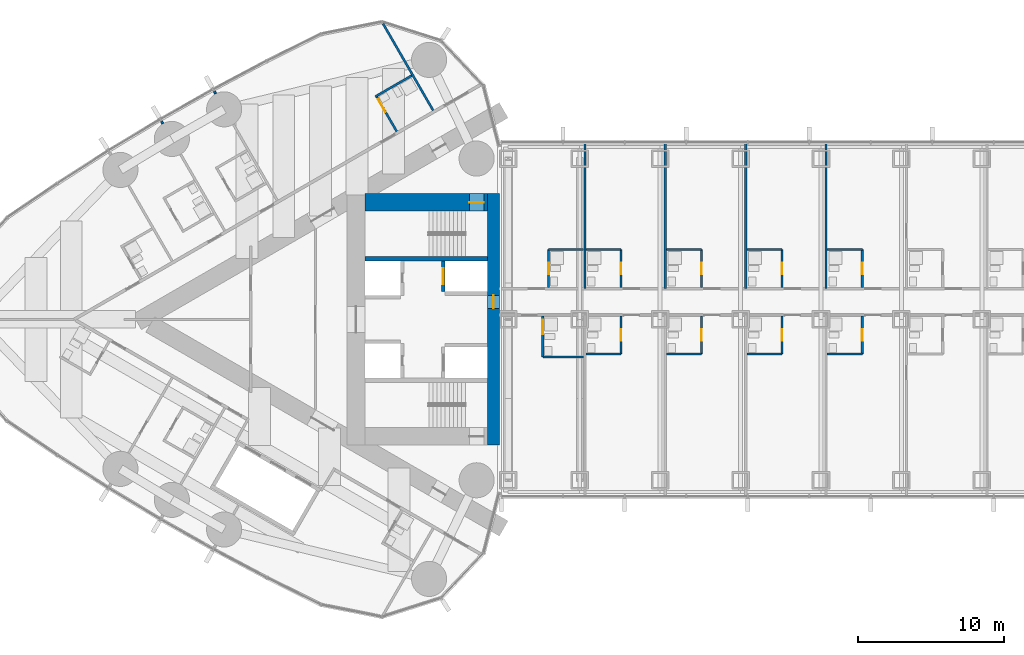
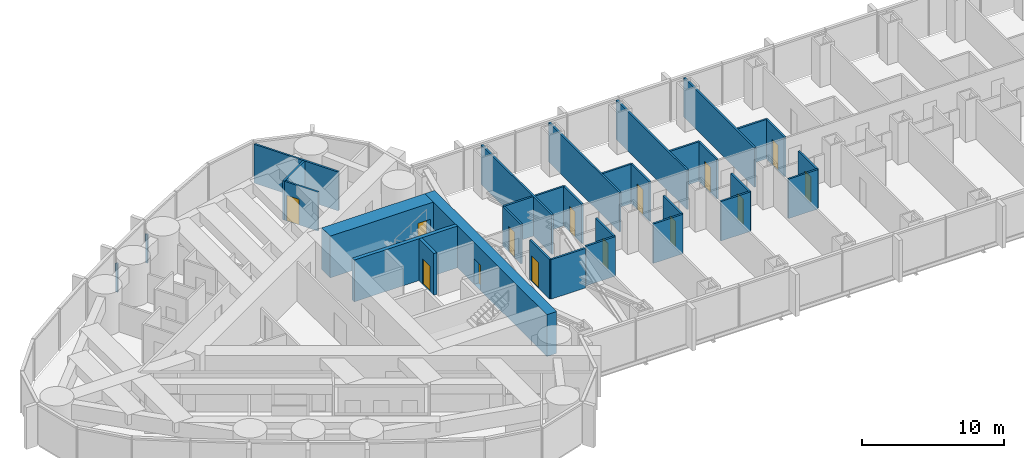
# One storey, part 16 of 23: 33 walls, 14 doors, 14 openings.
"""IFC4 building model written with IfcOpenShell, lengths in metres."""

from ifc_helpers import new_model, si_unit, direction, frame, frame_2d, origin, place, context, subcontext, project, spatial, rectangle, extrude, material, layer, layer_set, type_object, element, fill, save


model = new_model("IFC4")

# Units and contexts
model_context = context("Model", 3, precision=1e-05, world=origin(), true_north=direction((0.0, 1.0)))
body_context = subcontext(model_context, "Body", "Model", "MODEL_VIEW")
ifc_project = project(units=[si_unit("LENGTHUNIT", "METRE"), si_unit("AREAUNIT", "SQUARE_METRE"), si_unit("VOLUMEUNIT", "CUBIC_METRE"), si_unit("PLANEANGLEUNIT", "RADIAN"), si_unit("MASSUNIT", "GRAM", prefix="KILO")], contexts=[model_context])

# Site, building, storey
site_placement = place(None, origin())
site = spatial("IfcSite", under=ifc_project, at=site_placement, CompositionType="ELEMENT")
building_placement = place(site_placement, origin())
building = spatial("IfcBuilding", under=site, at=building_placement, Name="Lancet Gate Hotel", CompositionType="ELEMENT")
storey_placement = place(building_placement, frame((0.0, 0.0, 215.300048828125)))
storey = spatial("IfcBuildingStorey", under=building, at=storey_placement, Name="L57", CompositionType="ELEMENT", Elevation=215.300048828125)

# Wall
ifc_material_1 = material(Name="Moisture resistant board partition")
ifc_layer_1 = layer(ifc_material_1, 0.14990234375)
ifc_layer_set_1 = layer_set([ifc_layer_1], Name="Bathroom wall 150")
wall_type_1 = type_object("IfcWallType", Name="Bathroom wall 150", PredefinedType="PARTITIONING", material=ifc_layer_set_1)
wall_1_placement = place(storey_placement, frame((-33.486572265625, 16.6748046875, 0.0), z_axis=(0.0, 0.0, 1.0), x_axis=(-0.866039941686, -0.499974818771, 0.0)))
element("IfcWall", 1, at=wall_1_placement, inside=storey, type_object=wall_type_1, Name="T1 bathroom wall 150 L57", PredefinedType="PARTITIONING", context=body_context, shape_type="SweptSolid", body=[
    extrude(rectangle(XDim=2.875244140625, YDim=0.14990234375, at=frame_2d((1.4375, 0.0))), origin(), (0.0, 0.0, 1.0), 3.349853515625),
])

# Wall, opening, door
wall_2_placement = place(storey_placement, frame((-34.511474609375, 12.849853515625, 0.0), z_axis=(0.0, 0.0, 1.0), x_axis=(-0.500011755427, 0.866018616679, 0.0)))
wall_2 = element("IfcWall", 2, at=wall_2_placement, inside=storey, type_object=wall_type_1, Name="T1 bathroom wall 150 L57", PredefinedType="PARTITIONING", context=body_context, shape_type="SweptSolid", body=[
    extrude(rectangle(XDim=2.80029296875, YDim=0.14990234375, at=frame_2d((1.400146484375, 0.0))), origin(), (0.0, 0.0, 1.0), 3.349853515625),
])
opening_1_placement = place(wall_2_placement, frame((1.550048828125, 0.0, 0.0)))
opening_1 = element("IfcOpeningElement", 3, at=opening_1_placement, cuts=wall_2, Name="Opening 5702-B", PredefinedType="OPENING", context=body_context, shape_type="SweptSolid", body=[
    extrude(rectangle(XDim=1.0, YDim=2.199951171875, at=frame_2d((0.5, 1.10009765625))), frame((0.0, 0.0849609375, 0.0), z_axis=(0.0, -1.0, 0.0), x_axis=(1.0, 0.0, 0.0)), (0.0, 0.0, 1.0), 0.169921875),
])
ifc_material_2 = material(Name="Timber door set", Category="wood")
door_type_1 = type_object("IfcDoorType", Name="Accessible en-suite door 1000", OperationType="SINGLE_SWING_RIGHT", PredefinedType="DOOR", material=ifc_material_2)
door_1_placement = place(opening_1_placement, origin())
door_1 = element("IfcDoor", 4, at=door_1_placement, inside=storey, type_object=door_type_1, Name="5702-B", OperationType="SINGLE_SWING_RIGHT", OverallHeight=2.199951171875, OverallWidth=1.0, PredefinedType="DOOR", context=body_context, shape_type="SweptSolid", body=[
    extrude(rectangle(XDim=1.0, YDim=2.199951171875, at=frame_2d((0.5, 1.10009765625))), frame((0.0, 0.02490234375, 0.0), z_axis=(0.0, -1.0, 0.0), x_axis=(1.0, 0.0, 0.0)), (0.0, 0.0, 1.0), 0.050048828125),
])
fill(opening_1, door_1)

# Wall
wall_3_placement = place(storey_placement, frame((-24.52490234375, -2.574951171875, 0.0), z_axis=(0.0, 0.0, 1.0), x_axis=(1.0, 0.0, 0.0)))
element("IfcWall", 5, at=wall_3_placement, inside=storey, type_object=wall_type_1, Name="Bridge block bathroom wall 150 L57", PredefinedType="PARTITIONING", context=body_context, shape_type="SweptSolid", body=[
    extrude(rectangle(XDim=2.7998046875, YDim=0.14990234375, at=frame_2d((1.39990234375, 0.0))), origin(), (0.0, 0.0, 1.0), 3.39990234375),
])

# Wall, opening, door
wall_4_placement = place(storey_placement, frame((-24.52490234375, -2.574951171875, 0.0), z_axis=(0.0, 0.0, 1.0), x_axis=(0.0, 1.0, 0.0)))
wall_4 = element("IfcWall", 6, at=wall_4_placement, inside=storey, type_object=wall_type_1, Name="Bridge block bathroom wall 150 L57", PredefinedType="PARTITIONING", context=body_context, shape_type="SweptSolid", body=[
    extrude(rectangle(XDim=2.800048828125, YDim=0.14990234375, at=frame_2d((1.39990234375, 0.0))), origin(), (0.0, 0.0, 1.0), 3.39990234375),
])
opening_2_placement = place(wall_4_placement, frame((1.550048828125, 0.0, 0.0)))
opening_2 = element("IfcOpeningElement", 7, at=opening_2_placement, cuts=wall_4, Name="Opening B5701-B", PredefinedType="OPENING", context=body_context, shape_type="SweptSolid", body=[
    extrude(rectangle(XDim=1.0, YDim=2.199951171875, at=frame_2d((0.5, 1.10009765625))), frame((0.0, 0.0849609375, 0.0), z_axis=(0.0, -1.0, 0.0), x_axis=(1.0, 0.0, 0.0)), (0.0, 0.0, 1.0), 0.169921875),
])
door_2_placement = place(opening_2_placement, origin())
door_2 = element("IfcDoor", 8, at=door_2_placement, inside=storey, type_object=door_type_1, Name="B5701-B", OperationType="SINGLE_SWING_RIGHT", OverallHeight=2.199951171875, OverallWidth=1.0, PredefinedType="DOOR", context=body_context, shape_type="SweptSolid", body=[
    extrude(rectangle(XDim=1.0, YDim=2.199951171875, at=frame_2d((0.5, 1.10009765625))), frame((0.0, 0.02490234375, 0.0), z_axis=(0.0, -1.0, 0.0), x_axis=(1.0, 0.0, 0.0)), (0.0, 0.0, 1.0), 0.050048828125),
])
fill(opening_2, door_2)

# Wall
wall_5_placement = place(storey_placement, frame((-21.574951171875, -2.375, 0.0), z_axis=(0.0, 0.0, 1.0), x_axis=(1.0, 0.0, 0.0)))
element("IfcWall", 9, at=wall_5_placement, inside=storey, type_object=wall_type_1, Name="Bridge block bathroom wall 150 L57", PredefinedType="PARTITIONING", context=body_context, shape_type="SweptSolid", body=[
    extrude(rectangle(XDim=2.39990234375, YDim=0.14990234375, at=frame_2d((1.199951171875, 0.0))), origin(), (0.0, 0.0, 1.0), 3.39990234375),
])

# Wall, opening, door
wall_6_placement = place(storey_placement, frame((-19.175048828125, -2.375, 0.0), z_axis=(0.0, 0.0, 1.0), x_axis=(0.0, 1.0, 0.0)))
wall_6 = element("IfcWall", 10, at=wall_6_placement, inside=storey, type_object=wall_type_1, Name="Bridge block bathroom wall 150 L57", PredefinedType="PARTITIONING", context=body_context, shape_type="SweptSolid", body=[
    extrude(rectangle(XDim=2.60009765625, YDim=0.14990234375, at=frame_2d((1.300048828125, 0.0))), origin(), (0.0, 0.0, 1.0), 3.39990234375),
])
opening_3_placement = place(wall_6_placement, frame((0.89990234375, 0.0, 0.0)))
opening_3 = element("IfcOpeningElement", 11, at=opening_3_placement, cuts=wall_6, Name="Opening B5702-B", PredefinedType="OPENING", context=body_context, shape_type="SweptSolid", body=[
    extrude(rectangle(XDim=0.800048828125, YDim=2.199951171875, at=frame_2d((0.39990234375, 1.10009765625))), frame((0.0, 0.0849609375, 0.0), z_axis=(0.0, -1.0, 0.0), x_axis=(1.0, 0.0, 0.0)), (0.0, 0.0, 1.0), 0.169921875),
])
ifc_material_3 = material(Name="Timber door set", Category="wood")
door_type_2 = type_object("IfcDoorType", Name="Bathroom door 800", OperationType="SINGLE_SWING_RIGHT", PredefinedType="DOOR", material=ifc_material_3)
door_3_placement = place(opening_3_placement, origin())
door_3 = element("IfcDoor", 12, at=door_3_placement, inside=storey, type_object=door_type_2, Name="B5702-B", OperationType="SINGLE_SWING_RIGHT", OverallHeight=2.199951171875, OverallWidth=0.800048828125, PredefinedType="DOOR", context=body_context, shape_type="SweptSolid", body=[
    extrude(rectangle(XDim=0.800048828125, YDim=2.199951171875, at=frame_2d((0.39990234375, 1.10009765625))), frame((0.0, 0.02490234375, 0.0), z_axis=(0.0, -1.0, 0.0), x_axis=(1.0, 0.0, 0.0)), (0.0, 0.0, 1.0), 0.050048828125),
])
fill(opening_3, door_3)

# Wall
wall_7_placement = place(storey_placement, frame((-16.074951171875, -2.375, 0.0), z_axis=(0.0, 0.0, 1.0), x_axis=(1.0, 0.0, 0.0)))
element("IfcWall", 13, at=wall_7_placement, inside=storey, type_object=wall_type_1, Name="Bridge block bathroom wall 150 L57", PredefinedType="PARTITIONING", context=body_context, shape_type="SweptSolid", body=[
    extrude(rectangle(XDim=2.39990234375, YDim=0.14990234375, at=frame_2d((1.199951171875, 0.0))), origin(), (0.0, 0.0, 1.0), 3.39990234375),
])

# Wall, opening, door
wall_8_placement = place(storey_placement, frame((-13.675048828125, -2.375, 0.0), z_axis=(0.0, 0.0, 1.0), x_axis=(0.0, 1.0, 0.0)))
wall_8 = element("IfcWall", 14, at=wall_8_placement, inside=storey, type_object=wall_type_1, Name="Bridge block bathroom wall 150 L57", PredefinedType="PARTITIONING", context=body_context, shape_type="SweptSolid", body=[
    extrude(rectangle(XDim=2.60009765625, YDim=0.14990234375, at=frame_2d((1.300048828125, 0.0))), origin(), (0.0, 0.0, 1.0), 3.39990234375),
])
opening_4_placement = place(wall_8_placement, frame((0.89990234375, 0.0, 0.0)))
opening_4 = element("IfcOpeningElement", 15, at=opening_4_placement, cuts=wall_8, Name="Opening B5703-B", PredefinedType="OPENING", context=body_context, shape_type="SweptSolid", body=[
    extrude(rectangle(XDim=0.800048828125, YDim=2.199951171875, at=frame_2d((0.39990234375, 1.10009765625))), frame((0.0, 0.0849609375, 0.0), z_axis=(0.0, -1.0, 0.0), x_axis=(1.0, 0.0, 0.0)), (0.0, 0.0, 1.0), 0.169921875),
])
door_4_placement = place(opening_4_placement, origin())
door_4 = element("IfcDoor", 16, at=door_4_placement, inside=storey, type_object=door_type_2, Name="B5703-B", OperationType="SINGLE_SWING_RIGHT", OverallHeight=2.199951171875, OverallWidth=0.800048828125, PredefinedType="DOOR", context=body_context, shape_type="SweptSolid", body=[
    extrude(rectangle(XDim=0.800048828125, YDim=2.199951171875, at=frame_2d((0.39990234375, 1.10009765625))), frame((0.0, 0.02490234375, 0.0), z_axis=(0.0, -1.0, 0.0), x_axis=(1.0, 0.0, 0.0)), (0.0, 0.0, 1.0), 0.050048828125),
])
fill(opening_4, door_4)

# Wall
wall_9_placement = place(storey_placement, frame((-10.574951171875, -2.375, 0.0), z_axis=(0.0, 0.0, 1.0), x_axis=(1.0, 0.0, 0.0)))
element("IfcWall", 17, at=wall_9_placement, inside=storey, type_object=wall_type_1, Name="Bridge block bathroom wall 150 L57", PredefinedType="PARTITIONING", context=body_context, shape_type="SweptSolid", body=[
    extrude(rectangle(XDim=2.39990234375, YDim=0.14990234375, at=frame_2d((1.199951171875, 0.0))), origin(), (0.0, 0.0, 1.0), 3.39990234375),
])

# Wall, opening, door
wall_10_placement = place(storey_placement, frame((-8.175048828125, -2.375, 0.0), z_axis=(0.0, 0.0, 1.0), x_axis=(0.0, 1.0, 0.0)))
wall_10 = element("IfcWall", 18, at=wall_10_placement, inside=storey, type_object=wall_type_1, Name="Bridge block bathroom wall 150 L57", PredefinedType="PARTITIONING", context=body_context, shape_type="SweptSolid", body=[
    extrude(rectangle(XDim=2.60009765625, YDim=0.14990234375, at=frame_2d((1.300048828125, 0.0))), origin(), (0.0, 0.0, 1.0), 3.39990234375),
])
opening_5_placement = place(wall_10_placement, frame((0.89990234375, 0.0, 0.0)))
opening_5 = element("IfcOpeningElement", 19, at=opening_5_placement, cuts=wall_10, Name="Opening B5704-B", PredefinedType="OPENING", context=body_context, shape_type="SweptSolid", body=[
    extrude(rectangle(XDim=0.800048828125, YDim=2.199951171875, at=frame_2d((0.39990234375, 1.10009765625))), frame((0.0, 0.0849609375, 0.0), z_axis=(0.0, -1.0, 0.0), x_axis=(1.0, 0.0, 0.0)), (0.0, 0.0, 1.0), 0.169921875),
])
door_5_placement = place(opening_5_placement, origin())
door_5 = element("IfcDoor", 20, at=door_5_placement, inside=storey, type_object=door_type_2, Name="B5704-B", OperationType="SINGLE_SWING_RIGHT", OverallHeight=2.199951171875, OverallWidth=0.800048828125, PredefinedType="DOOR", context=body_context, shape_type="SweptSolid", body=[
    extrude(rectangle(XDim=0.800048828125, YDim=2.199951171875, at=frame_2d((0.39990234375, 1.10009765625))), frame((0.0, 0.02490234375, 0.0), z_axis=(0.0, -1.0, 0.0), x_axis=(1.0, 0.0, 0.0)), (0.0, 0.0, 1.0), 0.050048828125),
])
fill(opening_5, door_5)

# Wall
wall_11_placement = place(storey_placement, frame((-5.074951171875, -2.375, 0.0), z_axis=(0.0, 0.0, 1.0), x_axis=(1.0, 0.0, 0.0)))
element("IfcWall", 21, at=wall_11_placement, inside=storey, type_object=wall_type_1, Name="Bridge block bathroom wall 150 L57", PredefinedType="PARTITIONING", context=body_context, shape_type="SweptSolid", body=[
    extrude(rectangle(XDim=2.39990234375, YDim=0.14990234375, at=frame_2d((1.199951171875, 0.0))), origin(), (0.0, 0.0, 1.0), 3.39990234375),
])

# Wall, opening, door
wall_12_placement = place(storey_placement, frame((-2.675048828125, -2.375, 0.0), z_axis=(0.0, 0.0, 1.0), x_axis=(0.0, 1.0, 0.0)))
wall_12 = element("IfcWall", 22, at=wall_12_placement, inside=storey, type_object=wall_type_1, Name="Bridge block bathroom wall 150 L57", PredefinedType="PARTITIONING", context=body_context, shape_type="SweptSolid", body=[
    extrude(rectangle(XDim=2.60009765625, YDim=0.14990234375, at=frame_2d((1.300048828125, 0.0))), origin(), (0.0, 0.0, 1.0), 3.39990234375),
])
opening_6_placement = place(wall_12_placement, frame((0.89990234375, 0.0, 0.0)))
opening_6 = element("IfcOpeningElement", 23, at=opening_6_placement, cuts=wall_12, Name="Opening B5705-B", PredefinedType="OPENING", context=body_context, shape_type="SweptSolid", body=[
    extrude(rectangle(XDim=0.800048828125, YDim=2.199951171875, at=frame_2d((0.39990234375, 1.10009765625))), frame((0.0, 0.0849609375, 0.0), z_axis=(0.0, -1.0, 0.0), x_axis=(1.0, 0.0, 0.0)), (0.0, 0.0, 1.0), 0.169921875),
])
door_6_placement = place(opening_6_placement, origin())
door_6 = element("IfcDoor", 24, at=door_6_placement, inside=storey, type_object=door_type_2, Name="B5705-B", OperationType="SINGLE_SWING_RIGHT", OverallHeight=2.199951171875, OverallWidth=0.800048828125, PredefinedType="DOOR", context=body_context, shape_type="SweptSolid", body=[
    extrude(rectangle(XDim=0.800048828125, YDim=2.199951171875, at=frame_2d((0.39990234375, 1.10009765625))), frame((0.0, 0.02490234375, 0.0), z_axis=(0.0, -1.0, 0.0), x_axis=(1.0, 0.0, 0.0)), (0.0, 0.0, 1.0), 0.050048828125),
])
fill(opening_6, door_6)

# Wall
wall_13_placement = place(storey_placement, frame((-24.125, 4.77490234375, 0.0), z_axis=(0.0, 0.0, 1.0), x_axis=(1.0, 0.0, 0.0)))
element("IfcWall", 25, at=wall_13_placement, inside=storey, type_object=wall_type_1, Name="Bridge block bathroom wall 150 L57", PredefinedType="PARTITIONING", context=body_context, shape_type="SweptSolid", body=[
    extrude(rectangle(XDim=2.39990234375, YDim=0.14990234375, at=frame_2d((1.199951171875, 0.0))), origin(), (0.0, 0.0, 1.0), 3.39990234375),
])

# Wall, opening, door
wall_14_placement = place(storey_placement, frame((-24.125, 2.175048828125, 0.0), z_axis=(0.0, 0.0, 1.0), x_axis=(0.0, 1.0, 0.0)))
wall_14 = element("IfcWall", 26, at=wall_14_placement, inside=storey, type_object=wall_type_1, Name="Bridge block bathroom wall 150 L57", PredefinedType="PARTITIONING", context=body_context, shape_type="SweptSolid", body=[
    extrude(rectangle(XDim=2.599853515625, YDim=0.14990234375, at=frame_2d((1.2998046875, 0.0))), origin(), (0.0, 0.0, 1.0), 3.39990234375),
])
opening_7_placement = place(wall_14_placement, frame((0.89990234375, 0.0, 0.0)))
opening_7 = element("IfcOpeningElement", 27, at=opening_7_placement, cuts=wall_14, Name="Opening B5711-B", PredefinedType="OPENING", context=body_context, shape_type="SweptSolid", body=[
    extrude(rectangle(XDim=0.800048828125, YDim=2.199951171875, at=frame_2d((0.39990234375, 1.10009765625))), frame((0.0, 0.0849609375, 0.0), z_axis=(0.0, -1.0, 0.0), x_axis=(1.0, 0.0, 0.0)), (0.0, 0.0, 1.0), 0.169921875),
])
door_7_placement = place(opening_7_placement, origin())
door_7 = element("IfcDoor", 28, at=door_7_placement, inside=storey, type_object=door_type_2, Name="B5711-B", OperationType="SINGLE_SWING_RIGHT", OverallHeight=2.199951171875, OverallWidth=0.800048828125, PredefinedType="DOOR", context=body_context, shape_type="SweptSolid", body=[
    extrude(rectangle(XDim=0.800048828125, YDim=2.199951171875, at=frame_2d((0.39990234375, 1.10009765625))), frame((0.0, 0.02490234375, 0.0), z_axis=(0.0, -1.0, 0.0), x_axis=(1.0, 0.0, 0.0)), (0.0, 0.0, 1.0), 0.050048828125),
])
fill(opening_7, door_7)

# Wall
wall_15_placement = place(storey_placement, frame((-21.574951171875, 4.77490234375, 0.0), z_axis=(0.0, 0.0, 1.0), x_axis=(1.0, 0.0, 0.0)))
element("IfcWall", 29, at=wall_15_placement, inside=storey, type_object=wall_type_1, Name="Bridge block bathroom wall 150 L57", PredefinedType="PARTITIONING", context=body_context, shape_type="SweptSolid", body=[
    extrude(rectangle(XDim=2.39990234375, YDim=0.14990234375, at=frame_2d((1.199951171875, 0.0))), origin(), (0.0, 0.0, 1.0), 3.39990234375),
])

# Wall, opening, door
wall_16_placement = place(storey_placement, frame((-19.175048828125, 2.175048828125, 0.0), z_axis=(0.0, 0.0, 1.0), x_axis=(0.0, 1.0, 0.0)))
wall_16 = element("IfcWall", 30, at=wall_16_placement, inside=storey, type_object=wall_type_1, Name="Bridge block bathroom wall 150 L57", PredefinedType="PARTITIONING", context=body_context, shape_type="SweptSolid", body=[
    extrude(rectangle(XDim=2.599853515625, YDim=0.14990234375, at=frame_2d((1.2998046875, 0.0))), origin(), (0.0, 0.0, 1.0), 3.39990234375),
])
opening_8_placement = place(wall_16_placement, frame((0.89990234375, 0.0, 0.0)))
opening_8 = element("IfcOpeningElement", 31, at=opening_8_placement, cuts=wall_16, Name="Opening B5712-B", PredefinedType="OPENING", context=body_context, shape_type="SweptSolid", body=[
    extrude(rectangle(XDim=0.800048828125, YDim=2.199951171875, at=frame_2d((0.39990234375, 1.10009765625))), frame((0.0, 0.0849609375, 0.0), z_axis=(0.0, -1.0, 0.0), x_axis=(1.0, 0.0, 0.0)), (0.0, 0.0, 1.0), 0.169921875),
])
door_8_placement = place(opening_8_placement, origin())
door_8 = element("IfcDoor", 32, at=door_8_placement, inside=storey, type_object=door_type_2, Name="B5712-B", OperationType="SINGLE_SWING_RIGHT", OverallHeight=2.199951171875, OverallWidth=0.800048828125, PredefinedType="DOOR", context=body_context, shape_type="SweptSolid", body=[
    extrude(rectangle(XDim=0.800048828125, YDim=2.199951171875, at=frame_2d((0.39990234375, 1.10009765625))), frame((0.0, 0.02490234375, 0.0), z_axis=(0.0, -1.0, 0.0), x_axis=(1.0, 0.0, 0.0)), (0.0, 0.0, 1.0), 0.050048828125),
])
fill(opening_8, door_8)

# Wall
wall_17_placement = place(storey_placement, frame((-16.074951171875, 4.77490234375, 0.0), z_axis=(0.0, 0.0, 1.0), x_axis=(1.0, 0.0, 0.0)))
element("IfcWall", 33, at=wall_17_placement, inside=storey, type_object=wall_type_1, Name="Bridge block bathroom wall 150 L57", PredefinedType="PARTITIONING", context=body_context, shape_type="SweptSolid", body=[
    extrude(rectangle(XDim=2.39990234375, YDim=0.14990234375, at=frame_2d((1.199951171875, 0.0))), origin(), (0.0, 0.0, 1.0), 3.39990234375),
])

# Wall, opening, door
wall_18_placement = place(storey_placement, frame((-13.675048828125, 2.175048828125, 0.0), z_axis=(0.0, 0.0, 1.0), x_axis=(0.0, 1.0, 0.0)))
wall_18 = element("IfcWall", 34, at=wall_18_placement, inside=storey, type_object=wall_type_1, Name="Bridge block bathroom wall 150 L57", PredefinedType="PARTITIONING", context=body_context, shape_type="SweptSolid", body=[
    extrude(rectangle(XDim=2.599853515625, YDim=0.14990234375, at=frame_2d((1.2998046875, 0.0))), origin(), (0.0, 0.0, 1.0), 3.39990234375),
])
opening_9_placement = place(wall_18_placement, frame((0.89990234375, 0.0, 0.0)))
opening_9 = element("IfcOpeningElement", 35, at=opening_9_placement, cuts=wall_18, Name="Opening B5713-B", PredefinedType="OPENING", context=body_context, shape_type="SweptSolid", body=[
    extrude(rectangle(XDim=0.800048828125, YDim=2.199951171875, at=frame_2d((0.39990234375, 1.10009765625))), frame((0.0, 0.0849609375, 0.0), z_axis=(0.0, -1.0, 0.0), x_axis=(1.0, 0.0, 0.0)), (0.0, 0.0, 1.0), 0.169921875),
])
door_9_placement = place(opening_9_placement, origin())
door_9 = element("IfcDoor", 36, at=door_9_placement, inside=storey, type_object=door_type_2, Name="B5713-B", OperationType="SINGLE_SWING_RIGHT", OverallHeight=2.199951171875, OverallWidth=0.800048828125, PredefinedType="DOOR", context=body_context, shape_type="SweptSolid", body=[
    extrude(rectangle(XDim=0.800048828125, YDim=2.199951171875, at=frame_2d((0.39990234375, 1.10009765625))), frame((0.0, 0.02490234375, 0.0), z_axis=(0.0, -1.0, 0.0), x_axis=(1.0, 0.0, 0.0)), (0.0, 0.0, 1.0), 0.050048828125),
])
fill(opening_9, door_9)

# Wall
wall_19_placement = place(storey_placement, frame((-10.574951171875, 4.77490234375, 0.0), z_axis=(0.0, 0.0, 1.0), x_axis=(1.0, 0.0, 0.0)))
element("IfcWall", 37, at=wall_19_placement, inside=storey, type_object=wall_type_1, Name="Bridge block bathroom wall 150 L57", PredefinedType="PARTITIONING", context=body_context, shape_type="SweptSolid", body=[
    extrude(rectangle(XDim=2.39990234375, YDim=0.14990234375, at=frame_2d((1.199951171875, 0.0))), origin(), (0.0, 0.0, 1.0), 3.39990234375),
])

# Wall, opening, door
wall_20_placement = place(storey_placement, frame((-8.175048828125, 2.175048828125, 0.0), z_axis=(0.0, 0.0, 1.0), x_axis=(0.0, 1.0, 0.0)))
wall_20 = element("IfcWall", 38, at=wall_20_placement, inside=storey, type_object=wall_type_1, Name="Bridge block bathroom wall 150 L57", PredefinedType="PARTITIONING", context=body_context, shape_type="SweptSolid", body=[
    extrude(rectangle(XDim=2.599853515625, YDim=0.14990234375, at=frame_2d((1.2998046875, 0.0))), origin(), (0.0, 0.0, 1.0), 3.39990234375),
])
opening_10_placement = place(wall_20_placement, frame((0.89990234375, 0.0, 0.0)))
opening_10 = element("IfcOpeningElement", 39, at=opening_10_placement, cuts=wall_20, Name="Opening B5714-B", PredefinedType="OPENING", context=body_context, shape_type="SweptSolid", body=[
    extrude(rectangle(XDim=0.800048828125, YDim=2.199951171875, at=frame_2d((0.39990234375, 1.10009765625))), frame((0.0, 0.0849609375, 0.0), z_axis=(0.0, -1.0, 0.0), x_axis=(1.0, 0.0, 0.0)), (0.0, 0.0, 1.0), 0.169921875),
])
door_10_placement = place(opening_10_placement, origin())
door_10 = element("IfcDoor", 40, at=door_10_placement, inside=storey, type_object=door_type_2, Name="B5714-B", OperationType="SINGLE_SWING_RIGHT", OverallHeight=2.199951171875, OverallWidth=0.800048828125, PredefinedType="DOOR", context=body_context, shape_type="SweptSolid", body=[
    extrude(rectangle(XDim=0.800048828125, YDim=2.199951171875, at=frame_2d((0.39990234375, 1.10009765625))), frame((0.0, 0.02490234375, 0.0), z_axis=(0.0, -1.0, 0.0), x_axis=(1.0, 0.0, 0.0)), (0.0, 0.0, 1.0), 0.050048828125),
])
fill(opening_10, door_10)

# Wall
wall_21_placement = place(storey_placement, frame((-5.074951171875, 4.77490234375, 0.0), z_axis=(0.0, 0.0, 1.0), x_axis=(1.0, 0.0, 0.0)))
element("IfcWall", 41, at=wall_21_placement, inside=storey, type_object=wall_type_1, Name="Bridge block bathroom wall 150 L57", PredefinedType="PARTITIONING", context=body_context, shape_type="SweptSolid", body=[
    extrude(rectangle(XDim=2.39990234375, YDim=0.14990234375, at=frame_2d((1.199951171875, 0.0))), origin(), (0.0, 0.0, 1.0), 3.39990234375),
])

# Wall, opening, door
wall_22_placement = place(storey_placement, frame((-2.675048828125, 2.175048828125, 0.0), z_axis=(0.0, 0.0, 1.0), x_axis=(0.0, 1.0, 0.0)))
wall_22 = element("IfcWall", 42, at=wall_22_placement, inside=storey, type_object=wall_type_1, Name="Bridge block bathroom wall 150 L57", PredefinedType="PARTITIONING", context=body_context, shape_type="SweptSolid", body=[
    extrude(rectangle(XDim=2.599853515625, YDim=0.14990234375, at=frame_2d((1.2998046875, 0.0))), origin(), (0.0, 0.0, 1.0), 3.39990234375),
])
opening_11_placement = place(wall_22_placement, frame((0.89990234375, 0.0, 0.0)))
opening_11 = element("IfcOpeningElement", 43, at=opening_11_placement, cuts=wall_22, Name="Opening B5715-B", PredefinedType="OPENING", context=body_context, shape_type="SweptSolid", body=[
    extrude(rectangle(XDim=0.800048828125, YDim=2.199951171875, at=frame_2d((0.39990234375, 1.10009765625))), frame((0.0, 0.0849609375, 0.0), z_axis=(0.0, -1.0, 0.0), x_axis=(1.0, 0.0, 0.0)), (0.0, 0.0, 1.0), 0.169921875),
])
door_11_placement = place(opening_11_placement, origin())
door_11 = element("IfcDoor", 44, at=door_11_placement, inside=storey, type_object=door_type_2, Name="B5715-B", OperationType="SINGLE_SWING_RIGHT", OverallHeight=2.199951171875, OverallWidth=0.800048828125, PredefinedType="DOOR", context=body_context, shape_type="SweptSolid", body=[
    extrude(rectangle(XDim=0.800048828125, YDim=2.199951171875, at=frame_2d((0.39990234375, 1.10009765625))), frame((0.0, 0.02490234375, 0.0), z_axis=(0.0, -1.0, 0.0), x_axis=(1.0, 0.0, 0.0)), (0.0, 0.0, 1.0), 0.050048828125),
])
fill(opening_11, door_11)

ifc_material_4 = material(Name="Concrete C70/85", Category="concrete")
ifc_layer_2 = layer(ifc_material_4, 1.199951171875)
ifc_layer_set_2 = layer_set([ifc_layer_2], Name="Core wall 1200")
wall_type_2 = type_object("IfcWallType", Name="Core wall 1200", PredefinedType="SHEAR", material=ifc_layer_set_2)
wall_23_placement = place(storey_placement, frame((-28.300048828125, 8.0, 0.0), z_axis=(0.0, 0.0, 1.0), x_axis=(-1.0, 0.0, 0.0)))
wall_23 = element("IfcWall", 45, at=wall_23_placement, inside=storey, type_object=wall_type_2, Name="T1 core wall side-S L57", PredefinedType="SHEAR", context=body_context, shape_type="SweptSolid", body=[
    extrude(rectangle(XDim=8.39990234375, YDim=1.199951171875, at=frame_2d((4.199951171875, 0.0))), origin(), (0.0, 0.0, 1.0), 3.599853515625),
])
opening_12_placement = place(wall_23_placement, frame((0.25, 0.0, 0.0)))
opening_12 = element("IfcOpeningElement", 46, at=opening_12_placement, cuts=wall_23, Name="Opening T1-L57-ST1", PredefinedType="OPENING", context=body_context, shape_type="SweptSolid", body=[
    extrude(rectangle(XDim=1.0, YDim=2.199951171875, at=frame_2d((0.5, 1.10009765625))), frame((0.0, 0.60986328125, 0.0), z_axis=(0.0, -1.0, 0.0), x_axis=(1.0, 0.0, 0.0)), (0.0, 0.0, 1.0), 1.219970703125),
])
ifc_material_5 = material(Name="Timber door set", Category="wood")
door_type_3 = type_object("IfcDoorType", Name="Stair door 1000", OperationType="SINGLE_SWING_RIGHT", PredefinedType="DOOR", material=ifc_material_5)
door_12_placement = place(opening_12_placement, origin())
door_12 = element("IfcDoor", 47, at=door_12_placement, inside=storey, type_object=door_type_3, Name="T1-L57-ST1", OperationType="SINGLE_SWING_RIGHT", OverallHeight=2.199951171875, OverallWidth=1.0, PredefinedType="DOOR", context=body_context, shape_type="SweptSolid", body=[
    extrude(rectangle(XDim=1.0, YDim=2.199951171875, at=frame_2d((0.5, 1.10009765625))), frame((0.0, 0.02490234375, 0.0), z_axis=(0.0, -1.0, 0.0), x_axis=(1.0, 0.0, 0.0)), (0.0, 0.0, 1.0), 0.050048828125),
])
fill(opening_12, door_12)

ifc_material_6 = material(Name="Concrete C70/85", Category="concrete")
ifc_layer_3 = layer(ifc_material_6, 0.800048828125)
ifc_layer_set_3 = layer_set([ifc_layer_3], Name="Core wall 800")
wall_type_3 = type_object("IfcWallType", Name="Core wall 800", PredefinedType="SHEAR", material=ifc_layer_set_3)
wall_24_placement = place(storey_placement, frame((-27.89990234375, 8.60009765625, 0.0), z_axis=(0.0, 0.0, 1.0), x_axis=(0.0, -1.0, 0.0)))
wall_24 = element("IfcWall", 48, at=wall_24_placement, inside=storey, type_object=wall_type_3, Name="T1 core wall front L57", PredefinedType="SHEAR", context=body_context, shape_type="SweptSolid", body=[
    extrude(rectangle(XDim=17.2001953125, YDim=0.800048828125, at=frame_2d((8.60009765625, 0.0))), origin(), (0.0, 0.0, 1.0), 3.599853515625),
])
opening_13_placement = place(wall_24_placement, frame((6.949951171875, 0.0, 0.0)))
opening_13 = element("IfcOpeningElement", 49, at=opening_13_placement, cuts=wall_24, Name="Opening T1-L57-BR", PredefinedType="OPENING", context=body_context, shape_type="SweptSolid", body=[
    extrude(rectangle(XDim=0.89990234375, YDim=2.199951171875, at=frame_2d((0.449951171875, 1.10009765625))), frame((0.0, 0.409912109375, 0.0), z_axis=(0.0, -1.0, 0.0), x_axis=(1.0, 0.0, 0.0)), (0.0, 0.0, 1.0), 0.820068359375),
])
ifc_material_7 = material(Name="Steel door set", Category="steel")
door_type_4 = type_object("IfcDoorType", Name="Bridge fire door 900", OperationType="SINGLE_SWING_LEFT", PredefinedType="DOOR", material=ifc_material_7)
door_13_placement = place(opening_13_placement, origin())
door_13 = element("IfcDoor", 50, at=door_13_placement, inside=storey, type_object=door_type_4, Name="T1-L57-BR", OperationType="SINGLE_SWING_LEFT", OverallHeight=2.199951171875, OverallWidth=0.89990234375, PredefinedType="DOOR", context=body_context, shape_type="SweptSolid", body=[
    extrude(rectangle(XDim=0.89990234375, YDim=2.199951171875, at=frame_2d((0.449951171875, 1.10009765625))), frame((0.0, 0.02490234375, 0.0), z_axis=(0.0, -1.0, 0.0), x_axis=(1.0, 0.0, 0.0)), (0.0, 0.0, 1.0), 0.050048828125),
])
fill(opening_13, door_13)

ifc_material_8 = material(Name="Concrete C50/60", Category="concrete")
ifc_layer_4 = layer(ifc_material_8, 0.25)
ifc_layer_set_4 = layer_set([ifc_layer_4], Name="Lift shaft wall 250")
wall_type_4 = type_object("IfcWallType", Name="Lift shaft wall 250", PredefinedType="SHEAR", material=ifc_layer_set_4)
wall_25_placement = place(storey_placement, frame((-31.324951171875, 4.0, 0.0), z_axis=(0.0, 0.0, 1.0), x_axis=(0.0, -1.0, 0.0)))
wall_25 = element("IfcWall", 51, at=wall_25_placement, inside=storey, type_object=wall_type_4, Name="T1 core wall row1-S L57", PredefinedType="SHEAR", context=body_context, shape_type="SweptSolid", body=[
    extrude(rectangle(XDim=2.10009765625, YDim=0.25, at=frame_2d((1.050048828125, 0.0))), origin(), (0.0, 0.0, 1.0), 3.599853515625),
])
opening_14_placement = place(wall_25_placement, frame((0.5, 0.0, 0.0)))
opening_14 = element("IfcOpeningElement", 52, at=opening_14_placement, cuts=wall_25, Name="Opening T1-SL1-L57", PredefinedType="OPENING", context=body_context, shape_type="SweptSolid", body=[
    extrude(rectangle(XDim=1.10009765625, YDim=2.199951171875, at=frame_2d((0.550048828125, 1.10009765625))), frame((0.0, 0.135009765625, 0.0), z_axis=(0.0, -1.0, 0.0), x_axis=(1.0, 0.0, 0.0)), (0.0, 0.0, 1.0), 0.27001953125),
])
ifc_material_9 = material(Name="Timber door set", Category="wood")
door_type_5 = type_object("IfcDoorType", Name="Service lift landing door 1100", OperationType="SLIDING_TO_LEFT", PredefinedType="USERDEFINED", material=ifc_material_9)
door_14_placement = place(opening_14_placement, origin())
door_14 = element("IfcDoor", 53, at=door_14_placement, inside=storey, type_object=door_type_5, Name="T1-SL1-L57", ObjectType="LIFT LANDING DOOR", OperationType="SLIDING_TO_LEFT", OverallHeight=2.199951171875, OverallWidth=1.10009765625, PredefinedType="USERDEFINED", context=body_context, shape_type="SweptSolid", body=[
    extrude(rectangle(XDim=1.10009765625, YDim=2.199951171875, at=frame_2d((0.550048828125, 1.10009765625))), frame((0.0, 0.02490234375, 0.0), z_axis=(0.0, -1.0, 0.0), x_axis=(1.0, 0.0, 0.0)), (0.0, 0.0, 1.0), 0.050048828125),
])
fill(opening_14, door_14)

# Walls
ifc_material_10 = material(Name="Gypsum board partition")
ifc_layer_5 = layer(ifc_material_10, 0.14990234375)
ifc_layer_set_5 = layer_set([ifc_layer_5], Name="Party wall 150")
wall_type_5 = type_object("IfcWallType", Name="Party wall 150", PredefinedType="PARTITIONING", material=ifc_layer_set_5)
wall_26_placement = place(storey_placement, frame((-32.021728515625, 14.287353515625, 0.0), z_axis=(0.0, 0.0, 1.0), x_axis=(-0.50000019414, 0.866025291697, 0.0)))
element("IfcWall", 54, at=wall_26_placement, inside=storey, type_object=wall_type_5, Name="T1 party wall 150 L57", PredefinedType="PARTITIONING", context=body_context, shape_type="SweptSolid", body=[
    extrude(rectangle(XDim=6.84814453125, YDim=0.14990234375, at=frame_2d((3.424072265625, 0.0))), origin(), (0.0, 0.0, 1.0), 3.349853515625),
])
wall_27_placement = place(storey_placement, frame((-46.89794921875, 15.438720703125, 0.0), z_axis=(0.0, 0.0, 1.0), x_axis=(-0.500232303069, 0.865891241997, 0.0)))
element("IfcWall", 55, at=wall_27_placement, inside=storey, type_object=wall_type_5, Name="T1 party wall 150 L57", PredefinedType="PARTITIONING", context=body_context, shape_type="SweptSolid", body=[
    extrude(rectangle(XDim=0.1796875, YDim=0.14990234375, at=frame_2d((0.08984375, 0.0))), origin(), (0.0, 0.0, 1.0), 2.449951171875),
])
wall_28_placement = place(storey_placement, frame((-50.507568359375, 13.392333984375, 0.0), z_axis=(0.0, 0.0, 1.0), x_axis=(-0.499644091975, 0.866230789891, 0.0)))
element("IfcWall", 56, at=wall_28_placement, inside=storey, type_object=wall_type_5, Name="T1 party wall 150 L57", PredefinedType="PARTITIONING", context=body_context, shape_type="SweptSolid", body=[
    extrude(rectangle(XDim=0.179931640625, YDim=0.14990234375, at=frame_2d((0.08984375, 0.0))), origin(), (0.0, 0.0, 1.0), 2.449951171875),
])
for number, where, z_axis, x_axis, name in (
    (57, (-21.64990234375, 2.10009765625, 0.0), (0.0, 0.0, 1.0), (0.0, 1.0, 0.0), "Bridge block party wall 150 L57"),
    (58, (-16.14990234375, 2.10009765625, 0.0), (0.0, 0.0, 1.0), (0.0, 1.0, 0.0), "Bridge block party wall 150 L57"),
    (59, (-10.64990234375, 2.10009765625, 0.0), (0.0, 0.0, 1.0), (0.0, 1.0, 0.0), "Bridge block party wall 150 L57"),
    (60, (-5.14990234375, 2.10009765625, 0.0), (0.0, 0.0, 1.0), (0.0, 1.0, 0.0), "Bridge block party wall 150 L57"),
):
    element("IfcWall", number, at=place(storey_placement, frame(where, z_axis=z_axis, x_axis=x_axis)), inside=storey, type_object=wall_type_5, Name=name, PredefinedType="PARTITIONING", context=body_context, shape_type="SweptSolid", body=[
        extrude(rectangle(XDim=9.969970703125, YDim=0.14990234375, at=frame_2d((4.98486328125, 0.0))), origin(), (0.0, 0.0, 1.0), 3.39990234375),
    ])
ifc_material_11 = material(Name="Concrete C50/60", Category="concrete")
ifc_layer_6 = layer(ifc_material_11, 0.300048828125)
ifc_layer_set_6 = layer_set([ifc_layer_6], Name="Stair enclosure wall 300")
wall_type_6 = type_object("IfcWallType", Name="Stair enclosure wall 300", PredefinedType="SHEAR", material=ifc_layer_set_6)
wall_29_placement = place(storey_placement, frame((-28.300048828125, 4.14990234375, 0.0), z_axis=(0.0, 0.0, 1.0), x_axis=(-1.0, 0.0, 0.0)))
element("IfcWall", 61, at=wall_29_placement, inside=storey, type_object=wall_type_6, Name="T1 core wall stair-S L57", PredefinedType="SHEAR", context=body_context, shape_type="SweptSolid", body=[
    extrude(rectangle(XDim=8.39990234375, YDim=0.300048828125, at=frame_2d((4.199951171875, 0.0))), origin(), (0.0, 0.0, 1.0), 3.599853515625),
])

save(model, "model.ifc")
